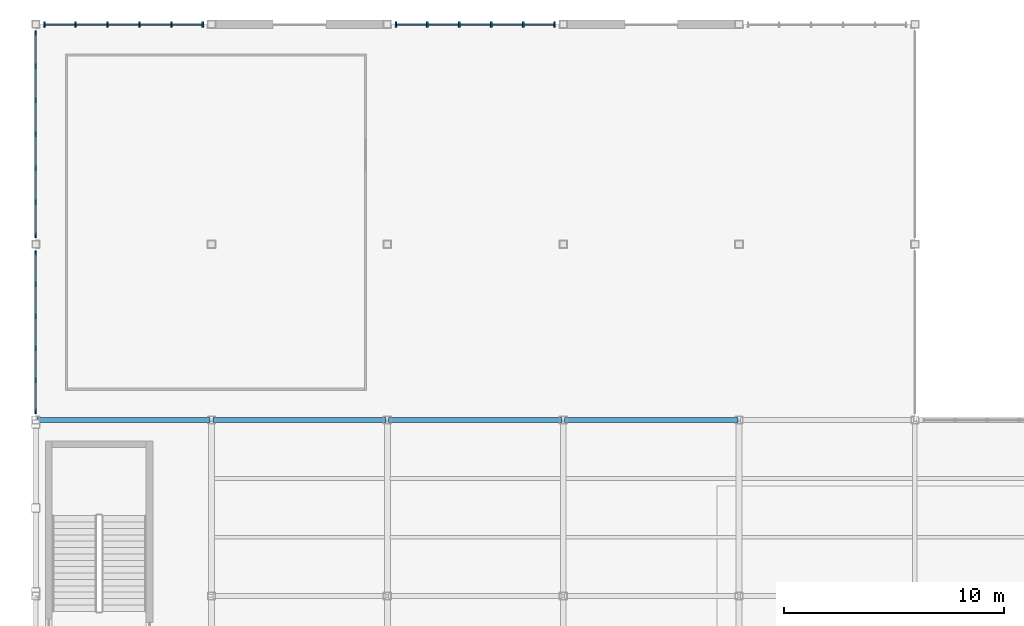
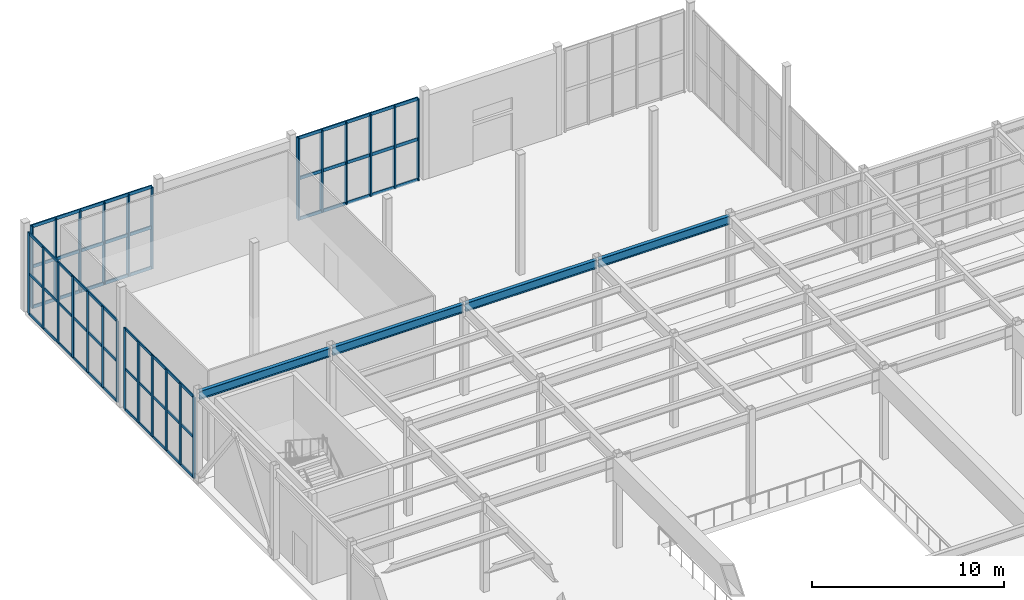
# One storey, part 40 of 82: 37 members, 4 beams, 4 elements without a shape of their own.
"""IFC4 building model written with IfcOpenShell, lengths in metres."""

from ifc_helpers import new_model, si_unit, direction, frame, origin, origin_2d, place, context, subcontext, project, spatial, rectangle, i_section, extrude, material, material_profile, profile_set, type_object, element, aggregate, save


model = new_model("IFC4")

# Units and contexts
model_context = context("Model", 3, precision=1e-05, world=origin(), true_north=direction((0.0, 1.0)))
body_context = subcontext(model_context, "Body", "Model", "MODEL_VIEW")
ifc_project = project(units=[si_unit("LENGTHUNIT", "METRE"), si_unit("AREAUNIT", "SQUARE_METRE"), si_unit("VOLUMEUNIT", "CUBIC_METRE"), si_unit("PLANEANGLEUNIT", "RADIAN"), si_unit("MASSUNIT", "GRAM", prefix="KILO")], contexts=[model_context])

# Site, building, storey
site_placement = place(None, origin())
site = spatial("IfcSite", under=ifc_project, at=site_placement, CompositionType="ELEMENT")
building_placement = place(site_placement, origin())
building = spatial("IfcBuilding", under=site, at=building_placement, Name="Drelvath Fold Interchange", CompositionType="ELEMENT")
storey_placement = place(building_placement, origin())
storey = spatial("IfcBuildingStorey", under=building, at=storey_placement, Name="L00", CompositionType="ELEMENT", Elevation=0.0)

# Beams
ifc_material_1 = material(Name="Steel ASTM A992 Grade 50", Category="steel")
ifc_material_profile_1 = material_profile(ifc_material_1, i_section(OverallWidth=0.2099609375, OverallDepth=0.537109375, WebThickness=0.010986328125, FlangeThickness=0.017333984375, at=origin_2d()), Name="W21X68")
ifc_profile_set_1 = profile_set([ifc_material_profile_1], Name="Steel ASTM A992 Grade 50")
beam_type = type_object("IfcBeamType", Name="BM-W21X68", PredefinedType="SPANDREL", material=ifc_profile_set_1)
for number, where, z_axis, x_axis, name in (
    (1, (4.06005859375, 99.0, 5.490966796875), (1.0, 0.0, 0.0), (0.0, 1.0, 0.0), "L00 Primary X girder BM-W21X68"),
    (2, (12.06005859375, 99.0, 5.490966796875), (1.0, 0.0, 0.0), (0.0, 1.0, 0.0), "L00 Primary X girder BM-W21X68"),
    (3, (20.06005859375, 99.0, 5.490966796875), (1.0, 0.0, 0.0), (0.0, 1.0, 0.0), "L00 Primary X girder BM-W21X68"),
    (4, (28.06005859375, 99.0, 5.490966796875), (1.0, 0.0, 0.0), (0.0, 1.0, 0.0), "L00 Primary X girder BM-W21X68"),
):
    element("IfcBeam", number, at=place(storey_placement, frame(where, z_axis=z_axis, x_axis=x_axis)), inside=storey, type_object=beam_type, Name=name, PredefinedType="SPANDREL", context=body_context, shape_type="SweptSolid", body=[
        extrude(i_section(OverallWidth=0.2099609375, OverallDepth=0.537109375, WebThickness=0.010986328125, FlangeThickness=0.017333984375, at=origin_2d()), origin(), (0.0, 0.0, 1.0), 7.8798828125),
    ])

# Curtain wall, members
ifc_material_2 = material(Name="Anodized Aluminium 6063-T6", Category="aluminium")
curtain_wall_type = type_object("IfcCurtainWallType", Name="CW-CON-600", PredefinedType="USERDEFINED", material=ifc_material_2)
curtain_wall_1_placement = place(storey_placement, origin())
curtain_wall_1 = element("IfcCurtainWall", 5, at=curtain_wall_1_placement, inside=storey, type_object=curtain_wall_type, Name="Curtain wall CW-V1-L00-W99", ObjectType="UNITISED CURTAIN WALL", PredefinedType="USERDEFINED")
ifc_material_profile_2 = material_profile(ifc_material_2, rectangle(XDim=0.06494140625, YDim=0.219970703125, at=origin_2d()), Name="AL-M 65x220")
ifc_profile_set_2 = profile_set([ifc_material_profile_2], Name="Anodized Aluminium 6063-T6")
member_type_1 = type_object("IfcMemberType", Name="ML-220", PredefinedType="MULLION", material=ifc_profile_set_2)
member_1_placement = place(storey_placement, frame((4.0, 99.39990234375, 0.0), z_axis=(0.0, 0.0, 1.0), x_axis=(1.0, 0.0, 0.0)))
member_1 = element("IfcMember", 6, at=member_1_placement, type_object=member_type_1, Name="CW-V1-L00-W99 mullion 0", PredefinedType="MULLION", context=body_context, shape_type="SweptSolid", body=[
    extrude(rectangle(XDim=0.06494140625, YDim=0.219970703125, at=origin_2d()), origin(), (0.0, 0.0, 1.0), 5.14990234375),
])
member_2_placement = place(storey_placement, frame((4.0, 100.81591796875, 0.0), z_axis=(0.0, 0.0, 1.0), x_axis=(1.0, 0.0, 0.0)))
member_2 = element("IfcMember", 7, at=member_2_placement, type_object=member_type_1, Name="CW-V1-L00-W99 mullion 1", PredefinedType="MULLION", context=body_context, shape_type="SweptSolid", body=[
    extrude(rectangle(XDim=0.06494140625, YDim=0.219970703125, at=origin_2d()), origin(), (0.0, 0.0, 1.0), 5.14990234375),
])
member_3_placement = place(storey_placement, frame((4.0, 102.27197265625, 0.0), z_axis=(0.0, 0.0, 1.0), x_axis=(1.0, 0.0, 0.0)))
member_3 = element("IfcMember", 8, at=member_3_placement, type_object=member_type_1, Name="CW-V1-L00-W99 mullion 2", PredefinedType="MULLION", context=body_context, shape_type="SweptSolid", body=[
    extrude(rectangle(XDim=0.06494140625, YDim=0.219970703125, at=origin_2d()), origin(), (0.0, 0.0, 1.0), 5.14990234375),
])
member_4_placement = place(storey_placement, frame((4.0, 103.72802734375, 0.0), z_axis=(0.0, 0.0, 1.0), x_axis=(1.0, 0.0, 0.0)))
member_4 = element("IfcMember", 9, at=member_4_placement, type_object=member_type_1, Name="CW-V1-L00-W99 mullion 3", PredefinedType="MULLION", context=body_context, shape_type="SweptSolid", body=[
    extrude(rectangle(XDim=0.06494140625, YDim=0.219970703125, at=origin_2d()), origin(), (0.0, 0.0, 1.0), 5.14990234375),
])
member_5_placement = place(storey_placement, frame((4.0, 105.18408203125, 0.0), z_axis=(0.0, 0.0, 1.0), x_axis=(1.0, 0.0, 0.0)))
member_5 = element("IfcMember", 10, at=member_5_placement, type_object=member_type_1, Name="CW-V1-L00-W99 mullion 4", PredefinedType="MULLION", context=body_context, shape_type="SweptSolid", body=[
    extrude(rectangle(XDim=0.06494140625, YDim=0.219970703125, at=origin_2d()), origin(), (0.0, 0.0, 1.0), 5.14990234375),
])
member_6_placement = place(storey_placement, frame((4.0, 106.60009765625, 0.0), z_axis=(0.0, 0.0, 1.0), x_axis=(1.0, 0.0, 0.0)))
member_6 = element("IfcMember", 11, at=member_6_placement, type_object=member_type_1, Name="CW-V1-L00-W99 mullion 5", PredefinedType="MULLION", context=body_context, shape_type="SweptSolid", body=[
    extrude(rectangle(XDim=0.06494140625, YDim=0.219970703125, at=origin_2d()), origin(), (0.0, 0.0, 1.0), 5.14990234375),
])

curtain_wall_2_placement = place(storey_placement, origin())
curtain_wall_2 = element("IfcCurtainWall", 12, at=curtain_wall_2_placement, inside=storey, type_object=curtain_wall_type, Name="Curtain wall CW-V1-L00-W107", ObjectType="UNITISED CURTAIN WALL", PredefinedType="USERDEFINED")
member_7_placement = place(storey_placement, frame((4.0, 107.39990234375, 0.0), z_axis=(0.0, 0.0, 1.0), x_axis=(1.0, 0.0, 0.0)))
member_7 = element("IfcMember", 13, at=member_7_placement, type_object=member_type_1, Name="CW-V1-L00-W107 mullion 0", PredefinedType="MULLION", context=body_context, shape_type="SweptSolid", body=[
    extrude(rectangle(XDim=0.06494140625, YDim=0.219970703125, at=origin_2d()), origin(), (0.0, 0.0, 1.0), 5.14990234375),
])
member_8_placement = place(storey_placement, frame((4.0, 108.906982421875, 0.0), z_axis=(0.0, 0.0, 1.0), x_axis=(1.0, 0.0, 0.0)))
member_8 = element("IfcMember", 14, at=member_8_placement, type_object=member_type_1, Name="CW-V1-L00-W107 mullion 1", PredefinedType="MULLION", context=body_context, shape_type="SweptSolid", body=[
    extrude(rectangle(XDim=0.06494140625, YDim=0.219970703125, at=origin_2d()), origin(), (0.0, 0.0, 1.0), 5.14990234375),
])
member_9_placement = place(storey_placement, frame((4.0, 110.452880859375, 0.0), z_axis=(0.0, 0.0, 1.0), x_axis=(1.0, 0.0, 0.0)))
member_9 = element("IfcMember", 15, at=member_9_placement, type_object=member_type_1, Name="CW-V1-L00-W107 mullion 2", PredefinedType="MULLION", context=body_context, shape_type="SweptSolid", body=[
    extrude(rectangle(XDim=0.06494140625, YDim=0.219970703125, at=origin_2d()), origin(), (0.0, 0.0, 1.0), 5.14990234375),
])
member_10_placement = place(storey_placement, frame((4.0, 112.0, 0.0), z_axis=(0.0, 0.0, 1.0), x_axis=(1.0, 0.0, 0.0)))
member_10 = element("IfcMember", 16, at=member_10_placement, type_object=member_type_1, Name="CW-V1-L00-W107 mullion 3", PredefinedType="MULLION", context=body_context, shape_type="SweptSolid", body=[
    extrude(rectangle(XDim=0.06494140625, YDim=0.219970703125, at=origin_2d()), origin(), (0.0, 0.0, 1.0), 5.14990234375),
])
member_11_placement = place(storey_placement, frame((4.0, 113.547119140625, 0.0), z_axis=(0.0, 0.0, 1.0), x_axis=(1.0, 0.0, 0.0)))
member_11 = element("IfcMember", 17, at=member_11_placement, type_object=member_type_1, Name="CW-V1-L00-W107 mullion 4", PredefinedType="MULLION", context=body_context, shape_type="SweptSolid", body=[
    extrude(rectangle(XDim=0.06494140625, YDim=0.219970703125, at=origin_2d()), origin(), (0.0, 0.0, 1.0), 5.14990234375),
])
member_12_placement = place(storey_placement, frame((4.0, 115.093017578125, 0.0), z_axis=(0.0, 0.0, 1.0), x_axis=(1.0, 0.0, 0.0)))
member_12 = element("IfcMember", 18, at=member_12_placement, type_object=member_type_1, Name="CW-V1-L00-W107 mullion 5", PredefinedType="MULLION", context=body_context, shape_type="SweptSolid", body=[
    extrude(rectangle(XDim=0.06494140625, YDim=0.219970703125, at=origin_2d()), origin(), (0.0, 0.0, 1.0), 5.14990234375),
])
member_13_placement = place(storey_placement, frame((4.0, 116.60009765625, 0.0), z_axis=(0.0, 0.0, 1.0), x_axis=(1.0, 0.0, 0.0)))
member_13 = element("IfcMember", 19, at=member_13_placement, type_object=member_type_1, Name="CW-V1-L00-W107 mullion 6", PredefinedType="MULLION", context=body_context, shape_type="SweptSolid", body=[
    extrude(rectangle(XDim=0.06494140625, YDim=0.219970703125, at=origin_2d()), origin(), (0.0, 0.0, 1.0), 5.14990234375),
])

curtain_wall_3_placement = place(storey_placement, origin())
curtain_wall_3 = element("IfcCurtainWall", 20, at=curtain_wall_3_placement, inside=storey, type_object=curtain_wall_type, Name="Curtain wall CW-V1N-L00-00", ObjectType="UNITISED CURTAIN WALL", PredefinedType="USERDEFINED")
ifc_material_profile_3 = material_profile(ifc_material_2, rectangle(XDim=0.074951171875, YDim=0.25, at=origin_2d()), Name="AL-M 75x250")
ifc_profile_set_3 = profile_set([ifc_material_profile_3], Name="Anodized Aluminium 6063-T6")
member_type_2 = type_object("IfcMemberType", Name="ML-250", PredefinedType="MULLION", material=ifc_profile_set_3)
member_14_placement = place(storey_placement, frame((4.39990234375, 117.0, 0.0), z_axis=(0.0, 0.0, 1.0), x_axis=(1.0, 0.0, 0.0)))
member_14 = element("IfcMember", 21, at=member_14_placement, type_object=member_type_2, Name="CW-V1N-L00-00 mullion 0", PredefinedType="MULLION", context=body_context, shape_type="SweptSolid", body=[
    extrude(rectangle(XDim=0.074951171875, YDim=0.25, at=origin_2d()), origin(), (0.0, 0.0, 1.0), 5.199951171875),
])
member_15_placement = place(storey_placement, frame((5.81591796875, 117.0, 0.0), z_axis=(0.0, 0.0, 1.0), x_axis=(1.0, 0.0, 0.0)))
member_15 = element("IfcMember", 22, at=member_15_placement, type_object=member_type_2, Name="CW-V1N-L00-00 mullion 1", PredefinedType="MULLION", context=body_context, shape_type="SweptSolid", body=[
    extrude(rectangle(XDim=0.074951171875, YDim=0.25, at=origin_2d()), origin(), (0.0, 0.0, 1.0), 5.199951171875),
])
member_16_placement = place(storey_placement, frame((7.27197265625, 117.0, 0.0), z_axis=(0.0, 0.0, 1.0), x_axis=(1.0, 0.0, 0.0)))
member_16 = element("IfcMember", 23, at=member_16_placement, type_object=member_type_2, Name="CW-V1N-L00-00 mullion 2", PredefinedType="MULLION", context=body_context, shape_type="SweptSolid", body=[
    extrude(rectangle(XDim=0.074951171875, YDim=0.25, at=origin_2d()), origin(), (0.0, 0.0, 1.0), 5.199951171875),
])
member_17_placement = place(storey_placement, frame((8.72802734375, 117.0, 0.0), z_axis=(0.0, 0.0, 1.0), x_axis=(1.0, 0.0, 0.0)))
member_17 = element("IfcMember", 24, at=member_17_placement, type_object=member_type_2, Name="CW-V1N-L00-00 mullion 3", PredefinedType="MULLION", context=body_context, shape_type="SweptSolid", body=[
    extrude(rectangle(XDim=0.074951171875, YDim=0.25, at=origin_2d()), origin(), (0.0, 0.0, 1.0), 5.199951171875),
])
member_18_placement = place(storey_placement, frame((10.18408203125, 117.0, 0.0), z_axis=(0.0, 0.0, 1.0), x_axis=(1.0, 0.0, 0.0)))
member_18 = element("IfcMember", 25, at=member_18_placement, type_object=member_type_2, Name="CW-V1N-L00-00 mullion 4", PredefinedType="MULLION", context=body_context, shape_type="SweptSolid", body=[
    extrude(rectangle(XDim=0.074951171875, YDim=0.25, at=origin_2d()), origin(), (0.0, 0.0, 1.0), 5.199951171875),
])
member_19_placement = place(storey_placement, frame((11.60009765625, 117.0, 0.0), z_axis=(0.0, 0.0, 1.0), x_axis=(1.0, 0.0, 0.0)))
member_19 = element("IfcMember", 26, at=member_19_placement, type_object=member_type_2, Name="CW-V1N-L00-00 mullion 5", PredefinedType="MULLION", context=body_context, shape_type="SweptSolid", body=[
    extrude(rectangle(XDim=0.074951171875, YDim=0.25, at=origin_2d()), origin(), (0.0, 0.0, 1.0), 5.199951171875),
])

curtain_wall_4_placement = place(storey_placement, origin())
curtain_wall_4 = element("IfcCurtainWall", 27, at=curtain_wall_4_placement, inside=storey, type_object=curtain_wall_type, Name="Curtain wall CW-V1N-L00-02", ObjectType="UNITISED CURTAIN WALL", PredefinedType="USERDEFINED")
member_20_placement = place(storey_placement, frame((20.39990234375, 117.0, 0.0), z_axis=(0.0, 0.0, 1.0), x_axis=(1.0, 0.0, 0.0)))
member_20 = element("IfcMember", 28, at=member_20_placement, type_object=member_type_2, Name="CW-V1N-L00-02 mullion 0", PredefinedType="MULLION", context=body_context, shape_type="SweptSolid", body=[
    extrude(rectangle(XDim=0.074951171875, YDim=0.25, at=origin_2d()), origin(), (0.0, 0.0, 1.0), 5.199951171875),
])
member_21_placement = place(storey_placement, frame((21.81591796875, 117.0, 0.0), z_axis=(0.0, 0.0, 1.0), x_axis=(1.0, 0.0, 0.0)))
member_21 = element("IfcMember", 29, at=member_21_placement, type_object=member_type_2, Name="CW-V1N-L00-02 mullion 1", PredefinedType="MULLION", context=body_context, shape_type="SweptSolid", body=[
    extrude(rectangle(XDim=0.074951171875, YDim=0.25, at=origin_2d()), origin(), (0.0, 0.0, 1.0), 5.199951171875),
])
member_22_placement = place(storey_placement, frame((23.27197265625, 117.0, 0.0), z_axis=(0.0, 0.0, 1.0), x_axis=(1.0, 0.0, 0.0)))
member_22 = element("IfcMember", 30, at=member_22_placement, type_object=member_type_2, Name="CW-V1N-L00-02 mullion 2", PredefinedType="MULLION", context=body_context, shape_type="SweptSolid", body=[
    extrude(rectangle(XDim=0.074951171875, YDim=0.25, at=origin_2d()), origin(), (0.0, 0.0, 1.0), 5.199951171875),
])
member_23_placement = place(storey_placement, frame((24.72802734375, 117.0, 0.0), z_axis=(0.0, 0.0, 1.0), x_axis=(1.0, 0.0, 0.0)))
member_23 = element("IfcMember", 31, at=member_23_placement, type_object=member_type_2, Name="CW-V1N-L00-02 mullion 3", PredefinedType="MULLION", context=body_context, shape_type="SweptSolid", body=[
    extrude(rectangle(XDim=0.074951171875, YDim=0.25, at=origin_2d()), origin(), (0.0, 0.0, 1.0), 5.199951171875),
])
member_24_placement = place(storey_placement, frame((26.18408203125, 117.0, 0.0), z_axis=(0.0, 0.0, 1.0), x_axis=(1.0, 0.0, 0.0)))
member_24 = element("IfcMember", 32, at=member_24_placement, type_object=member_type_2, Name="CW-V1N-L00-02 mullion 4", PredefinedType="MULLION", context=body_context, shape_type="SweptSolid", body=[
    extrude(rectangle(XDim=0.074951171875, YDim=0.25, at=origin_2d()), origin(), (0.0, 0.0, 1.0), 5.199951171875),
])
member_25_placement = place(storey_placement, frame((27.60009765625, 117.0, 0.0), z_axis=(0.0, 0.0, 1.0), x_axis=(1.0, 0.0, 0.0)))
member_25 = element("IfcMember", 33, at=member_25_placement, type_object=member_type_2, Name="CW-V1N-L00-02 mullion 5", PredefinedType="MULLION", context=body_context, shape_type="SweptSolid", body=[
    extrude(rectangle(XDim=0.074951171875, YDim=0.25, at=origin_2d()), origin(), (0.0, 0.0, 1.0), 5.199951171875),
])

# Member
ifc_material_profile_4 = material_profile(ifc_material_2, rectangle(XDim=0.06494140625, YDim=0.179931640625, at=origin_2d()), Name="AL-T 65x180")
ifc_profile_set_4 = profile_set([ifc_material_profile_4], Name="Anodized Aluminium 6063-T6")
member_type_3 = type_object("IfcMemberType", Name="TR-180", PredefinedType="USERDEFINED", material=ifc_profile_set_4)
member_26_placement = place(storey_placement, frame((4.0, 99.39990234375, 0.030029296875), z_axis=(0.0, 1.0, 0.0), x_axis=(-1.0, 0.0, 0.0)))
member_26 = element("IfcMember", 34, at=member_26_placement, type_object=member_type_3, Name="CW-V1-L00-W99 transom 0", ObjectType="TRANSOM", PredefinedType="USERDEFINED", context=body_context, shape_type="SweptSolid", body=[
    extrude(rectangle(XDim=0.06494140625, YDim=0.179931640625, at=origin_2d()), origin(), (0.0, 0.0, 1.0), 7.2001953125),
])

member_27_placement = place(storey_placement, frame((4.0, 99.39990234375, 2.574951171875), z_axis=(0.0, 1.0, 0.0), x_axis=(-1.0, 0.0, 0.0)))
member_27 = element("IfcMember", 35, at=member_27_placement, type_object=member_type_3, Name="CW-V1-L00-W99 transom 1", ObjectType="TRANSOM", PredefinedType="USERDEFINED", context=body_context, shape_type="SweptSolid", body=[
    extrude(rectangle(XDim=0.06494140625, YDim=0.179931640625, at=origin_2d()), origin(), (0.0, 0.0, 1.0), 7.2001953125),
])

member_28_placement = place(storey_placement, frame((4.0, 99.39990234375, 5.1201171875), z_axis=(0.0, 1.0, 0.0), x_axis=(-1.0, 0.0, 0.0)))
member_28 = element("IfcMember", 36, at=member_28_placement, type_object=member_type_3, Name="CW-V1-L00-W99 transom 2", ObjectType="TRANSOM", PredefinedType="USERDEFINED", context=body_context, shape_type="SweptSolid", body=[
    extrude(rectangle(XDim=0.06494140625, YDim=0.179931640625, at=origin_2d()), origin(), (0.0, 0.0, 1.0), 7.2001953125),
])

aggregate(curtain_wall_1, [member_1, member_2, member_3, member_4, member_5, member_6, member_26, member_27, member_28])

member_29_placement = place(storey_placement, frame((4.0, 107.39990234375, 0.030029296875), z_axis=(0.0, 1.0, 0.0), x_axis=(-1.0, 0.0, 0.0)))
member_29 = element("IfcMember", 37, at=member_29_placement, type_object=member_type_3, Name="CW-V1-L00-W107 transom 0", ObjectType="TRANSOM", PredefinedType="USERDEFINED", context=body_context, shape_type="SweptSolid", body=[
    extrude(rectangle(XDim=0.06494140625, YDim=0.179931640625, at=origin_2d()), origin(), (0.0, 0.0, 1.0), 9.2001953125),
])

member_30_placement = place(storey_placement, frame((4.0, 107.39990234375, 2.574951171875), z_axis=(0.0, 1.0, 0.0), x_axis=(-1.0, 0.0, 0.0)))
member_30 = element("IfcMember", 38, at=member_30_placement, type_object=member_type_3, Name="CW-V1-L00-W107 transom 1", ObjectType="TRANSOM", PredefinedType="USERDEFINED", context=body_context, shape_type="SweptSolid", body=[
    extrude(rectangle(XDim=0.06494140625, YDim=0.179931640625, at=origin_2d()), origin(), (0.0, 0.0, 1.0), 9.2001953125),
])

member_31_placement = place(storey_placement, frame((4.0, 107.39990234375, 5.1201171875), z_axis=(0.0, 1.0, 0.0), x_axis=(-1.0, 0.0, 0.0)))
member_31 = element("IfcMember", 39, at=member_31_placement, type_object=member_type_3, Name="CW-V1-L00-W107 transom 2", ObjectType="TRANSOM", PredefinedType="USERDEFINED", context=body_context, shape_type="SweptSolid", body=[
    extrude(rectangle(XDim=0.06494140625, YDim=0.179931640625, at=origin_2d()), origin(), (0.0, 0.0, 1.0), 9.2001953125),
])

aggregate(curtain_wall_2, [member_7, member_8, member_9, member_10, member_11, member_12, member_13, member_29, member_30, member_31])

ifc_material_profile_5 = material_profile(ifc_material_2, rectangle(XDim=0.074951171875, YDim=0.199951171875, at=origin_2d()), Name="AL-T 75x200")
ifc_profile_set_5 = profile_set([ifc_material_profile_5], Name="Anodized Aluminium 6063-T6")
member_type_4 = type_object("IfcMemberType", Name="TR-200", PredefinedType="USERDEFINED", material=ifc_profile_set_5)
member_32_placement = place(storey_placement, frame((4.39990234375, 117.0, 0.030029296875), z_axis=(1.0, 0.0, 0.0), x_axis=(0.0, 1.0, 0.0)))
member_32 = element("IfcMember", 40, at=member_32_placement, type_object=member_type_4, Name="CW-V1N-L00-00 transom 0", ObjectType="TRANSOM", PredefinedType="USERDEFINED", context=body_context, shape_type="SweptSolid", body=[
    extrude(rectangle(XDim=0.074951171875, YDim=0.199951171875, at=origin_2d()), origin(), (0.0, 0.0, 1.0), 7.2001953125),
])

member_33_placement = place(storey_placement, frame((4.39990234375, 117.0, 2.60009765625), z_axis=(1.0, 0.0, 0.0), x_axis=(0.0, 1.0, 0.0)))
member_33 = element("IfcMember", 41, at=member_33_placement, type_object=member_type_4, Name="CW-V1N-L00-00 transom 1", ObjectType="TRANSOM", PredefinedType="USERDEFINED", context=body_context, shape_type="SweptSolid", body=[
    extrude(rectangle(XDim=0.074951171875, YDim=0.199951171875, at=origin_2d()), origin(), (0.0, 0.0, 1.0), 7.2001953125),
])

member_34_placement = place(storey_placement, frame((4.39990234375, 117.0, 5.169921875), z_axis=(1.0, 0.0, 0.0), x_axis=(0.0, 1.0, 0.0)))
member_34 = element("IfcMember", 42, at=member_34_placement, type_object=member_type_4, Name="CW-V1N-L00-00 transom 2", ObjectType="TRANSOM", PredefinedType="USERDEFINED", context=body_context, shape_type="SweptSolid", body=[
    extrude(rectangle(XDim=0.074951171875, YDim=0.199951171875, at=origin_2d()), origin(), (0.0, 0.0, 1.0), 7.2001953125),
])

aggregate(curtain_wall_3, [member_14, member_15, member_16, member_17, member_18, member_19, member_32, member_33, member_34])

member_35_placement = place(storey_placement, frame((20.39990234375, 117.0, 0.030029296875), z_axis=(1.0, 0.0, 0.0), x_axis=(0.0, 1.0, 0.0)))
member_35 = element("IfcMember", 43, at=member_35_placement, type_object=member_type_4, Name="CW-V1N-L00-02 transom 0", ObjectType="TRANSOM", PredefinedType="USERDEFINED", context=body_context, shape_type="SweptSolid", body=[
    extrude(rectangle(XDim=0.074951171875, YDim=0.199951171875, at=origin_2d()), origin(), (0.0, 0.0, 1.0), 7.2001953125),
])

member_36_placement = place(storey_placement, frame((20.39990234375, 117.0, 2.60009765625), z_axis=(1.0, 0.0, 0.0), x_axis=(0.0, 1.0, 0.0)))
member_36 = element("IfcMember", 44, at=member_36_placement, type_object=member_type_4, Name="CW-V1N-L00-02 transom 1", ObjectType="TRANSOM", PredefinedType="USERDEFINED", context=body_context, shape_type="SweptSolid", body=[
    extrude(rectangle(XDim=0.074951171875, YDim=0.199951171875, at=origin_2d()), origin(), (0.0, 0.0, 1.0), 7.2001953125),
])

member_37_placement = place(storey_placement, frame((20.39990234375, 117.0, 5.169921875), z_axis=(1.0, 0.0, 0.0), x_axis=(0.0, 1.0, 0.0)))
member_37 = element("IfcMember", 45, at=member_37_placement, type_object=member_type_4, Name="CW-V1N-L00-02 transom 2", ObjectType="TRANSOM", PredefinedType="USERDEFINED", context=body_context, shape_type="SweptSolid", body=[
    extrude(rectangle(XDim=0.074951171875, YDim=0.199951171875, at=origin_2d()), origin(), (0.0, 0.0, 1.0), 7.2001953125),
])

aggregate(curtain_wall_4, [member_20, member_21, member_22, member_23, member_24, member_25, member_35, member_36, member_37])

save(model, "model.ifc")
